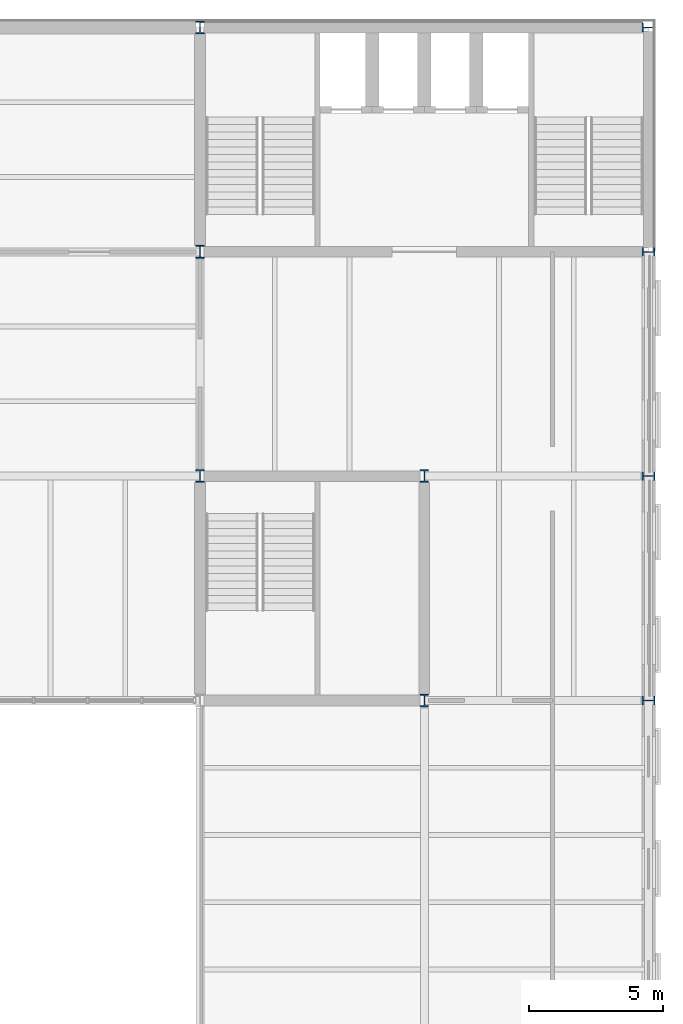
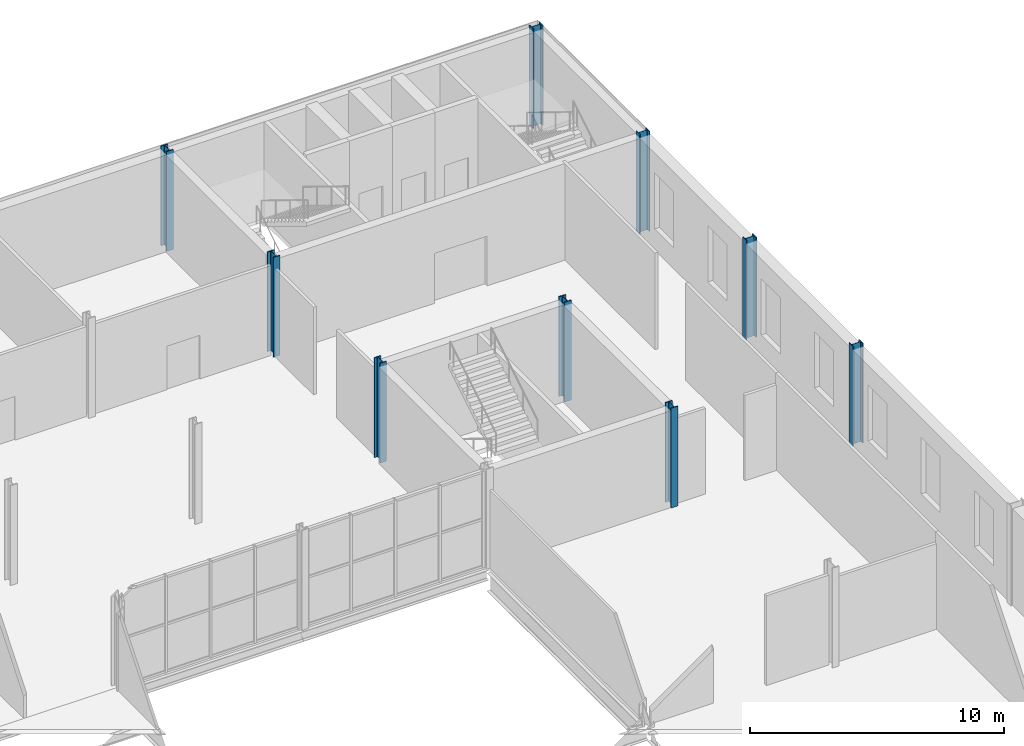
# One storey, part 8 of 52: 9 columns.
"""IFC4 building model written with IfcOpenShell, lengths in metres."""

from ifc_helpers import new_model, si_unit, direction, frame, origin, origin_2d, place, context, subcontext, project, spatial, i_section, extrude, material, material_profile, profile_set, type_object, element, save


model = new_model("IFC4")

# Units and contexts
model_context = context("Model", 3, precision=1e-05, world=origin(), true_north=direction((0.0, 1.0)))
body_context = subcontext(model_context, "Body", "Model", "MODEL_VIEW")
ifc_project = project(units=[si_unit("LENGTHUNIT", "METRE"), si_unit("AREAUNIT", "SQUARE_METRE"), si_unit("VOLUMEUNIT", "CUBIC_METRE"), si_unit("PLANEANGLEUNIT", "RADIAN"), si_unit("MASSUNIT", "GRAM", prefix="KILO")], contexts=[model_context])

# Site, building, storey
site_placement = place(None, origin())
site = spatial("IfcSite", under=ifc_project, at=site_placement, CompositionType="ELEMENT")
building_placement = place(site_placement, origin())
building = spatial("IfcBuilding", under=site, at=building_placement, Name="Galleria Vessillo Department Store", CompositionType="ELEMENT")
storey_placement = place(building_placement, frame((0.0, 0.0, 16.199951171875)))
storey = spatial("IfcBuildingStorey", under=building, at=storey_placement, Name="L03", CompositionType="ELEMENT", Elevation=16.199951171875)

# Columns
ifc_material = material(Name="Steel S355 J2", Category="steel")
ifc_material_profile = material_profile(ifc_material, i_section(OverallWidth=0.306884765625, OverallDepth=0.47802734375, WebThickness=0.02099609375, FlangeThickness=0.0400390625, FilletRadius=0.027099609375, at=origin_2d()), Name="HEM 450")
ifc_profile_set = profile_set([ifc_material_profile], Name="Steel S355 J2")
column_type = type_object("IfcColumnType", Name="Steel column HEM 450 CT2", PredefinedType="COLUMN", material=ifc_profile_set)
for number, where, z_axis, x_axis, name in (
    (1, (100.800048828125, 46.199951171875, 0.0), (0.0, 0.0, 1.0), (1.0, 0.0, 0.0), "S-COL-L03-13-F"),
    (2, (100.800048828125, 54.60009765625, 0.0), (0.0, 0.0, 1.0), (1.0, 0.0, 0.0), "S-COL-L03-13-G"),
    (3, (100.800048828125, 63.0, 0.0), (0.0, 0.0, 1.0), (1.0, 0.0, 0.0), "S-COL-L03-13-H"),
    (4, (109.199951171875, 37.800048828125, 0.0), (0.0, 0.0, 1.0), (1.0, 0.0, 0.0), "S-COL-L03-14-E"),
    (5, (109.199951171875, 46.199951171875, 0.0), (0.0, 0.0, 1.0), (1.0, 0.0, 0.0), "S-COL-L03-14-F"),
    (6, (117.60009765625, 37.800048828125, 0.0), (0.0, 0.0, 1.0), (0.0, 1.0, 0.0), "S-COL-L03-15-E"),
    (7, (117.60009765625, 46.199951171875, 0.0), (0.0, 0.0, 1.0), (0.0, 1.0, 0.0), "S-COL-L03-15-F"),
    (8, (117.60009765625, 54.60009765625, 0.0), (0.0, 0.0, 1.0), (0.0, 1.0, 0.0), "S-COL-L03-15-G"),
    (9, (117.60009765625, 63.0, 0.0), (0.0, 0.0, 1.0), (0.0, 1.0, 0.0), "S-COL-L03-15-H"),
):
    element("IfcColumn", number, at=place(storey_placement, frame(where, z_axis=z_axis, x_axis=x_axis)), inside=storey, type_object=column_type, Name=name, PredefinedType="COLUMN", context=body_context, shape_type="SweptSolid", body=[
        extrude(i_section(OverallWidth=0.306884765625, OverallDepth=0.47802734375, WebThickness=0.02099609375, FlangeThickness=0.0400390625, FilletRadius=0.027099609375, at=origin_2d()), origin(), (0.0, 0.0, 1.0), 4.800048828125),
    ])

save(model, "model.ifc")
